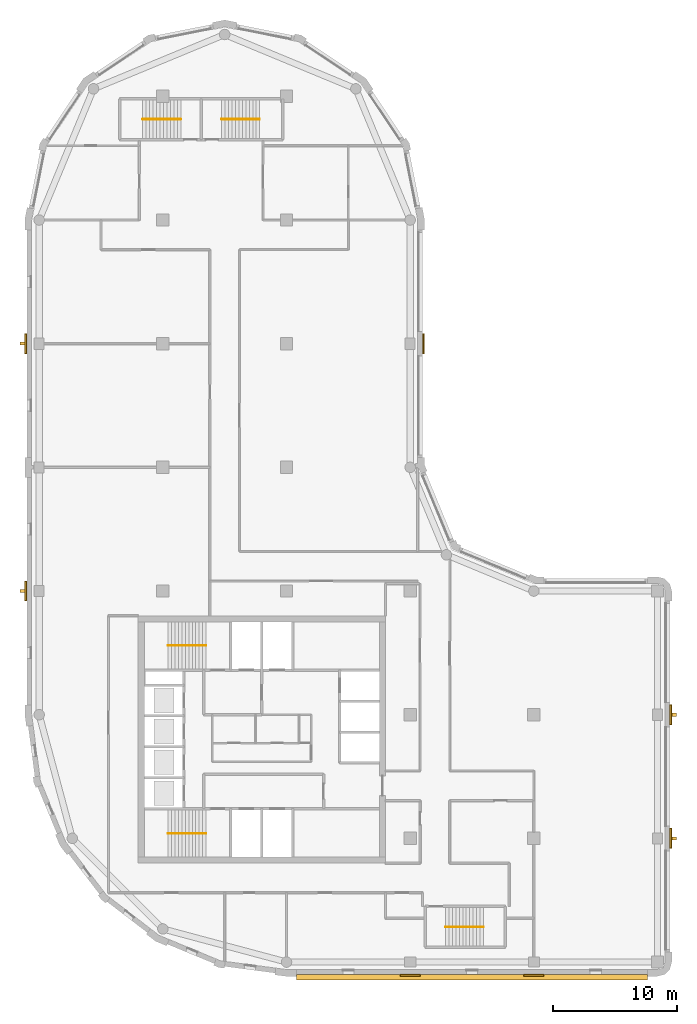
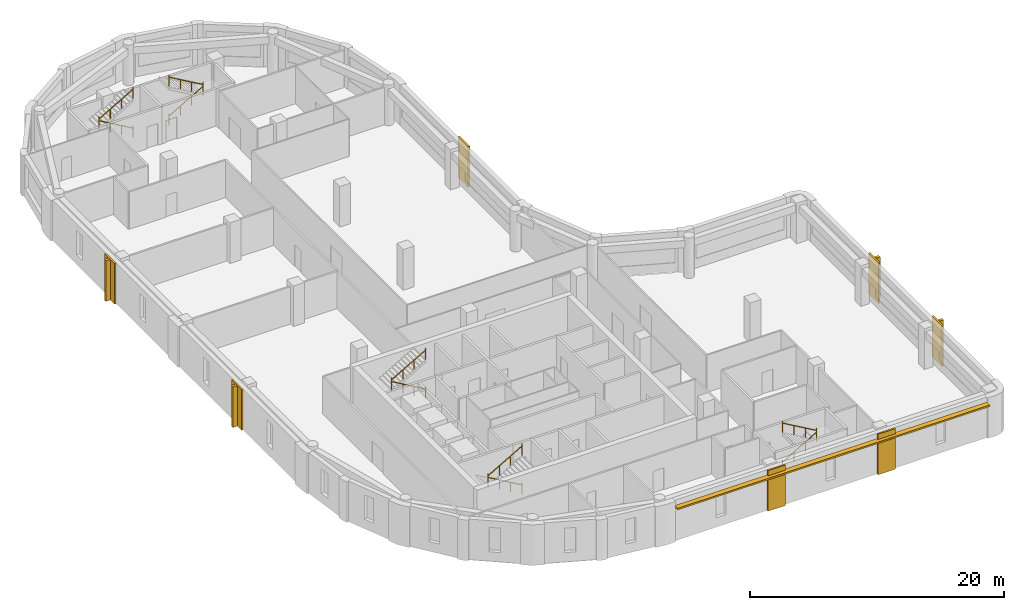
# One storey, part 8 of 9: 10 railings, 7 coverings, 5 shading devices.
"""IFC4 building model written with IfcOpenShell, lengths in metres."""

import ifcopenshell
import ifcopenshell.guid

model = None  # the IFC model being written
_history = None  # IfcOwnerHistory: only IFC2X3 demands one
_inside = {}  # id of a spatial element -> (the spatial element, [elements in it])
_under = {}  # id of a project, library or spatial element -> (it, [spatial elements below it])
_declared = {}  # id of a project -> (the project, [libraries it declares])
_typed = {}  # id of a type object -> (the type object, [elements of that type])
_made_of = {}  # id of a material, layer set ... -> (it, [elements and type objects made of it])


def new_model(schema):
    """Start an empty IFC model of exactly this schema.

    Asked for "IFC4X3", IfcOpenShell would pick the latest addendum, in which some entities
    have other attributes; the version numbers below select the first issue.
    IFC2X3 requires an IfcOwnerHistory on every rooted entity: one is made here for all.
    """
    global model, _history
    if schema == "IFC4X3":
        model = ifcopenshell.file(schema_version=(4, 3, 0, 0))
    else:
        model = ifcopenshell.file(schema=schema)
    _inside.clear()
    _under.clear()
    _declared.clear()
    _typed.clear()
    _made_of.clear()
    _history = None
    if model.schema == "IFC2X3":
        org = make("IfcOrganization", Name="unknown")
        user = make(
            "IfcPersonAndOrganization",
            ThePerson=make("IfcPerson", FamilyName="unknown"),
            TheOrganization=org,
        )
        app = make(
            "IfcApplication",
            ApplicationDeveloper=org,
            Version="unknown",
            ApplicationFullName="unknown",
            ApplicationIdentifier="unknown",
        )
        _history = make(
            "IfcOwnerHistory",
            OwningUser=user,
            OwningApplication=app,
            ChangeAction="ADDED",
            CreationDate=0,
        )
    return model


def make(cls, **values):
    """One entity of the class cls with the attributes given. An attribute that is None is left unset."""
    return model.create_entity(
        cls, **{name: value for name, value in values.items() if value is not None}
    )


def rooted(cls, **values):
    """An entity with a GlobalId (a new one), such as an element, a storey or a relation."""
    return make(cls, GlobalId=ifcopenshell.guid.new(), OwnerHistory=_history, **values)


def si_unit(unit_type, name, prefix=None):
    """IfcSIUnit, for example si_unit("LENGTHUNIT", "METRE", prefix="MILLI")."""
    return make("IfcSIUnit", UnitType=unit_type, Prefix=prefix, Name=name)


def assignment(units):
    """IfcUnitAssignment: the units of a project."""
    return None if units is None else make("IfcUnitAssignment", Units=units)


def point(xyz):
    """IfcCartesianPoint."""
    return None if xyz is None else make("IfcCartesianPoint", Coordinates=xyz)


def direction(xyz):
    """IfcDirection."""
    return None if xyz is None else make("IfcDirection", DirectionRatios=xyz)


def frame(location, z_axis=None, x_axis=None):
    """IfcAxis2Placement3D, a coordinate frame: its origin and axes. An axis left out is left unset."""
    return make(
        "IfcAxis2Placement3D",
        Location=point(location),
        Axis=direction(z_axis),
        RefDirection=direction(x_axis),
    )


def frame_2d(location, x_axis=None):
    """IfcAxis2Placement2D, a coordinate frame in the plane: its origin and x axis."""
    return make(
        "IfcAxis2Placement2D", Location=point(location), RefDirection=direction(x_axis)
    )


def origin():
    """The frame at (0, 0, 0) with its axes left unset."""
    return frame((0.0, 0.0, 0.0))


def origin_2d():
    """The frame at (0, 0) in the plane with its x axis left unset."""
    return frame_2d((0.0, 0.0))


def place(relative_to, where):
    """IfcLocalPlacement: puts the frame where relative to a parent placement (None: the world)."""
    return make(
        "IfcLocalPlacement", PlacementRelTo=relative_to, RelativePlacement=where
    )


def context(
    kind, dimensions, precision=None, world=None, true_north=None, identifier=None
):
    """IfcGeometricRepresentationContext, for example the 3D "Model" context."""
    return make(
        "IfcGeometricRepresentationContext",
        ContextIdentifier=identifier,
        ContextType=kind,
        CoordinateSpaceDimension=dimensions,
        Precision=precision,
        WorldCoordinateSystem=world,
        TrueNorth=true_north,
    )


def subcontext(parent, identifier, kind, view, scale=None):
    """IfcGeometricRepresentationSubContext, for example "Body" below "Model"."""
    return make(
        "IfcGeometricRepresentationSubContext",
        ContextIdentifier=identifier,
        ContextType=kind,
        ParentContext=parent,
        TargetScale=scale,
        TargetView=view,
    )


def project(units=None, contexts=None):
    """IfcProject with its units and contexts."""
    return rooted(
        "IfcProject",
        Name="project",
        RepresentationContexts=contexts,
        UnitsInContext=assignment(units),
    )


def spatial(cls, under=None, at=None, **own):
    """A site, building, storey or space (cls), placed at a placement, below another one or the project."""
    s = rooted(cls, ObjectPlacement=at, **own)
    if under is not None:
        _under.setdefault(under.id(), (under, []))[1].append(s)
    return s


def polyline(points):
    """IfcPolyline through the points."""
    return make("IfcPolyline", Points=[point(p) for p in points])


def profile(cls, at=None, kind="AREA", **sizes):
    """A parametric profile (cls). Its sizes go by their IFC names, for example OverallWidth=200.0."""
    return make(cls, ProfileType=kind, Position=at, **sizes)


def rectangle(**sizes):
    """IfcRectangleProfileDef."""
    return profile("IfcRectangleProfileDef", **sizes)


def circle(**sizes):
    """IfcCircleProfileDef."""
    return profile("IfcCircleProfileDef", **sizes)


def outline(outer, holes=None, kind="AREA"):
    """IfcArbitraryClosedProfileDef: a profile drawn as a closed curve; with holes, ...WithVoids."""
    if holes is None:
        return make("IfcArbitraryClosedProfileDef", ProfileType=kind, OuterCurve=outer)
    return make(
        "IfcArbitraryProfileDefWithVoids",
        ProfileType=kind,
        OuterCurve=outer,
        InnerCurves=holes,
    )


def extrude(swept, where, along, depth):
    """IfcExtrudedAreaSolid: the profile swept, set in the frame where, extruded along a direction by depth."""
    return make(
        "IfcExtrudedAreaSolid",
        SweptArea=swept,
        Position=where,
        ExtrudedDirection=direction(along),
        Depth=depth,
    )


def shape(context_of_items, identifier, shape_type, items):
    """IfcShapeRepresentation: the items that make up one representation, for example the "Body"."""
    return make(
        "IfcShapeRepresentation",
        ContextOfItems=context_of_items,
        RepresentationIdentifier=identifier,
        RepresentationType=shape_type,
        Items=items,
    )


def material(Name=None, Category=None):
    """IfcMaterial."""
    return make("IfcMaterial", Name=Name, Category=Category)


def layer(
    of_material, thickness, ventilated=None, Name=None, Category=None, Priority=None
):
    """IfcMaterialLayer: one layer of a wall or slab, of a material (None: an air gap)."""
    return make(
        "IfcMaterialLayer",
        Material=of_material,
        LayerThickness=thickness,
        IsVentilated=ventilated,
        Name=Name,
        Category=Category,
        Priority=Priority,
    )


def layer_set(layers, Name=None):
    """IfcMaterialLayerSet."""
    return make("IfcMaterialLayerSet", MaterialLayers=layers, LayerSetName=Name)


def made_of(thing, what):
    """Note that an element or type object is made of a material, layer set ...; save() writes the relation."""
    if what is not None:
        _made_of.setdefault(what.id(), (what, []))[1].append(thing)
    return thing


def type_object(cls, material=None, **own):
    """A type object (cls), such as IfcWallType, which elements share."""
    return made_of(rooted(cls, **own), material)


def element(
    cls,
    number,
    at=None,
    inside=None,
    cuts=None,
    type_object=None,
    material=None,
    context=None,
    identifier="Body",
    shape_type=None,
    held_by="IfcProductDefinitionShape",
    body=None,
    shapes=None,
    **own,
):
    """One element of the class cls, such as IfcWall. Its Tag is "e" and its number.

    at: its placement. inside: the storey or other place that contains it. cuts: it is an
    opening in that element (IfcRelVoidsElement). A single representation is given by context,
    identifier, shape_type and body (its items); several are given by shapes. held_by: the class
    of the entity that holds the representations. save() writes the other relations.
    """
    e = rooted(cls, Tag="e%d" % number, ObjectPlacement=at, **own)
    if body is not None:
        shapes = [shape(context, identifier, shape_type, body)]
    if shapes is not None:
        e.Representation = make(held_by, Representations=shapes)
    if inside is not None:
        _inside.setdefault(inside.id(), (inside, []))[1].append(e)
    if cuts is not None:
        rooted(
            "IfcRelVoidsElement", RelatingBuildingElement=cuts, RelatedOpeningElement=e
        )
    if type_object is not None:
        _typed.setdefault(type_object.id(), (type_object, []))[1].append(e)
    return made_of(e, material)


def aggregate(whole, parts):
    """IfcRelAggregates: a whole, such as a stair, and the parts it consists of."""
    return rooted("IfcRelAggregates", RelatingObject=whole, RelatedObjects=parts)


def save(model, path):
    """Write the relations noted so far, then the file.

    IfcRelAggregates (storeys below a building ...), IfcRelContainedInSpatialStructure (elements
    in a storey), IfcRelDefinesByType, IfcRelAssociatesMaterial and IfcRelDeclares: one each for
    every whole, place, type object, material and project.
    """
    for whole, parts in _under.values():
        aggregate(whole, parts)
    for where, things in _inside.values():
        rooted(
            "IfcRelContainedInSpatialStructure",
            RelatedElements=things,
            RelatingStructure=where,
        )
    for kind, things in _typed.values():
        rooted("IfcRelDefinesByType", RelatedObjects=things, RelatingType=kind)
    for what, things in _made_of.values():
        rooted("IfcRelAssociatesMaterial", RelatedObjects=things, RelatingMaterial=what)
    for by, libraries in _declared.values():
        rooted("IfcRelDeclares", RelatingContext=by, RelatedDefinitions=libraries)
    model.write(path)


model = new_model("IFC4")

# Units and contexts
model_context = context("Model", 3, precision=1e-05, world=origin(), true_north=direction((0.0, 1.0)))
body_context = subcontext(model_context, "Body", "Model", "MODEL_VIEW")
ifc_project = project(units=[si_unit("LENGTHUNIT", "METRE"), si_unit("AREAUNIT", "SQUARE_METRE"), si_unit("VOLUMEUNIT", "CUBIC_METRE"), si_unit("PLANEANGLEUNIT", "RADIAN"), si_unit("MASSUNIT", "GRAM", prefix="KILO")], contexts=[model_context])

# Site, building, storey
site_placement = place(None, origin())
site = spatial("IfcSite", under=ifc_project, at=site_placement, CompositionType="ELEMENT")
building_placement = place(site_placement, origin())
building = spatial("IfcBuilding", under=site, at=building_placement, Name="Qaws Garden Tower", CompositionType="ELEMENT")
storey_placement = place(building_placement, frame((0.0, 0.0, 259.199951171875)))
storey = spatial("IfcBuildingStorey", under=building, at=storey_placement, Name="L62", CompositionType="ELEMENT", Elevation=259.199951171875)

# Coverings
ifc_material_1 = material(Name="Clay facing brick masonry", Category="masonry")
ifc_layer_1 = layer(ifc_material_1, 0.14990234375)
ifc_layer_set_1 = layer_set([ifc_layer_1], Name="Clay facing brick masonry")
covering_type = type_object("IfcCoveringType", Name="Brick pilaster facing 150 x 1600", PredefinedType="CLADDING", material=ifc_layer_set_1)
placement = place(storey_placement, origin())
element("IfcCovering", 1, at=placement, inside=storey, type_object=covering_type, Name="E-L62-pier-01", PredefinedType="CLADDING", context=body_context, shape_type="SweptSolid", body=[
    extrude(outline(polyline([(29.199951171875, -1.0), (30.800048828125, -1.0), (30.800048828125, -1.14990234375), (29.199951171875, -1.14990234375), (29.199951171875, -1.0)])), origin(), (0.0, 0.0, 1.0), 3.900146484375),
])
element("IfcCovering", 2, at=placement, inside=storey, type_object=covering_type, Name="E-L62-pier-02", PredefinedType="CLADDING", context=body_context, shape_type="SweptSolid", body=[
    extrude(outline(polyline([(39.199951171875, -1.0), (40.800048828125, -1.0), (40.800048828125, -1.14990234375), (39.199951171875, -1.14990234375), (39.199951171875, -1.0)])), origin(), (0.0, 0.0, 1.0), 3.900146484375),
])
element("IfcCovering", 3, at=placement, inside=storey, type_object=covering_type, Name="E-L62-pier-04", PredefinedType="CLADDING", context=body_context, shape_type="SweptSolid", body=[
    extrude(outline(polyline([(51.0, 9.199951171875), (51.0, 10.800048828125), (51.14990234375, 10.800048828125), (51.14990234375, 9.199951171875), (51.0, 9.199951171875)])), origin(), (0.0, 0.0, 1.0), 3.900146484375),
])
element("IfcCovering", 4, at=placement, inside=storey, type_object=covering_type, Name="E-L62-pier-05", PredefinedType="CLADDING", context=body_context, shape_type="SweptSolid", body=[
    extrude(outline(polyline([(51.0, 19.199951171875), (51.0, 20.800048828125), (51.14990234375, 20.800048828125), (51.14990234375, 19.199951171875), (51.0, 19.199951171875)])), origin(), (0.0, 0.0, 1.0), 3.900146484375),
])
element("IfcCovering", 5, at=placement, inside=storey, type_object=covering_type, Name="E-L62-pier-10", PredefinedType="CLADDING", context=body_context, shape_type="SweptSolid", body=[
    extrude(outline(polyline([(31.0, 49.199951171875), (31.0, 50.800048828125), (31.14990234375, 50.800048828125), (31.14990234375, 49.199951171875), (31.0, 49.199951171875)])), origin(), (0.0, 0.0, 1.0), 3.900146484375),
])
element("IfcCovering", 6, at=placement, inside=storey, type_object=covering_type, Name="E-L62-pier-20", PredefinedType="CLADDING", context=body_context, shape_type="SweptSolid", body=[
    extrude(outline(polyline([(-1.0, 50.800048828125), (-1.0, 49.199951171875), (-1.14990234375, 49.199951171875), (-1.14990234375, 50.800048828125), (-1.0, 50.800048828125)])), origin(), (0.0, 0.0, 1.0), 3.900146484375),
])
element("IfcCovering", 7, at=placement, inside=storey, type_object=covering_type, Name="E-L62-pier-22", PredefinedType="CLADDING", context=body_context, shape_type="SweptSolid", body=[
    extrude(outline(polyline([(-1.0, 30.800048828125), (-1.0, 29.199951171875), (-1.14990234375, 29.199951171875), (-1.14990234375, 30.800048828125), (-1.0, 30.800048828125)])), origin(), (0.0, 0.0, 1.0), 3.900146484375),
])

# Shading devices
ifc_material_2 = material(Name="Clay facing brick masonry", Category="masonry")
ifc_layer_2 = layer(ifc_material_2, 0.14990234375)
ifc_layer_set_2 = layer_set([ifc_layer_2], Name="Clay facing brick masonry")
shading_device_type_1 = type_object("IfcShadingDeviceType", Name="Brick sunshade band 450 x 150", PredefinedType="JALOUSIE", material=ifc_layer_set_2)
shading_device_placement = place(storey_placement, frame((0.0, 0.0, 3.25)))
element("IfcShadingDevice", 8, at=shading_device_placement, inside=storey, type_object=shading_device_type_1, Name="SUNSHADE 00", PredefinedType="JALOUSIE", context=body_context, shape_type="SweptSolid", body=[
    extrude(outline(polyline([(20.800048828125, -1.0), (20.800048828125, -1.449951171875), (49.199951171875, -1.449951171875), (49.199951171875, -1.0), (40.800048828125, -1.0), (40.800048828125, -1.14990234375), (39.199951171875, -1.14990234375), (39.199951171875, -1.0), (30.800048828125, -1.0), (30.800048828125, -1.14990234375), (29.199951171875, -1.14990234375), (29.199951171875, -1.0), (20.800048828125, -1.0)])), origin(), (0.0, 0.0, 1.0), 0.150146484375),
])
ifc_material_3 = material(Name="Clay facing brick masonry", Category="masonry")
ifc_layer_3 = layer(ifc_material_3, 0.25)
ifc_layer_set_3 = layer_set([ifc_layer_3], Name="Clay facing brick masonry")
shading_device_type_2 = type_object("IfcShadingDeviceType", Name="Brick-faced fin 250 x 400", PredefinedType="USERDEFINED", material=ifc_layer_set_3)
for number, where, z_axis, x_axis, name in (
    (9, (51.35009765625, 10.0, 0.0), (0.0, 0.0, 1.0), (0.0, 1.0, 0.0), "FIN 04"),
    (10, (51.35009765625, 20.0, 0.0), (0.0, 0.0, 1.0), (0.0, 1.0, 0.0), "FIN 05"),
    (11, (-1.35009765625, 50.0, 0.0), (0.0, 0.0, 1.0), (0.0, -1.0, 0.0), "FIN 20"),
    (12, (-1.35009765625, 30.0, 0.0), (0.0, 0.0, 1.0), (0.0, -1.0, 0.0), "FIN 22"),
):
    element("IfcShadingDevice", number, at=place(storey_placement, frame(where, z_axis=z_axis, x_axis=x_axis)), inside=storey, type_object=shading_device_type_2, Name=name, ObjectType="FIN", PredefinedType="USERDEFINED", context=body_context, shape_type="SweptSolid", body=[
        extrude(rectangle(XDim=0.25, YDim=0.39990234375, at=origin_2d()), origin(), (0.0, 0.0, 1.0), 3.89990234375),
    ])

# Railings
ifc_material_4 = material(Name="Steel S355", Category="steel")
railing_type = type_object("IfcRailingType", Name="Stair handrail 900", PredefinedType="HANDRAIL", material=ifc_material_4)
railing_1_placement = place(storey_placement, frame((13.5, 10.39990234375, 0.16259765625)))
element("IfcRailing", 13, at=railing_1_placement, inside=storey, type_object=railing_type, Name="Stair 1 handrail", PredefinedType="HANDRAIL", context=body_context, shape_type="SweptSolid", body=[
    extrude(circle(Radius=0.02392578125, at=origin_2d()), frame((0.0, 0.0, 0.8759765625), z_axis=(-0.864920483161, 0.0, 0.501908913857), x_axis=(0.0, -1.0, 0.0)), (0.0, 0.0, 1.0), 3.56103515625),
    extrude(circle(Radius=0.02099609375, at=origin_2d()), origin(), (0.0, 0.0, 1.0), 1.06201171875),
    extrude(circle(Radius=0.02099609375, at=origin_2d()), frame((-1.026611328125, 0.0, 0.595703125)), (0.0, 0.0, 1.0), 0.851806640625),
    extrude(circle(Radius=0.02099609375, at=origin_2d()), frame((-2.053466796875, 0.0, 1.191650390625)), (0.0, 0.0, 1.0), 0.851806640625),
    extrude(circle(Radius=0.02099609375, at=origin_2d()), frame((-3.080078125, 0.0, 1.787353515625)), (0.0, 0.0, 1.0), 1.06201171875),
])
railing_2_placement = place(storey_placement, frame((10.419921875, 10.39990234375, 2.112548828125)))
element("IfcRailing", 14, at=railing_2_placement, inside=storey, type_object=railing_type, Name="Stair 1 handrail", PredefinedType="HANDRAIL", context=body_context, shape_type="SweptSolid", body=[
    extrude(circle(Radius=0.02392578125, at=origin_2d()), frame((0.0, 0.0, 0.8759765625), z_axis=(0.864890721111, 0.0, 0.501960198159), x_axis=(0.0, 1.0, 0.0)), (0.0, 0.0, 1.0), 3.561279296875),
    extrude(circle(Radius=0.02099609375, at=origin_2d()), origin(), (0.0, 0.0, 1.0), 1.06201171875),
    extrude(circle(Radius=0.02099609375, at=origin_2d()), frame((1.026611328125, 0.0, 0.595947265625)), (0.0, 0.0, 1.0), 0.851806640625),
    extrude(circle(Radius=0.02099609375, at=origin_2d()), frame((2.053466796875, 0.0, 1.191650390625)), (0.0, 0.0, 1.0), 0.851806640625),
    extrude(circle(Radius=0.02099609375, at=origin_2d()), frame((3.080078125, 0.0, 1.78759765625)), (0.0, 0.0, 1.0), 1.06201171875),
])
railing_3_placement = place(storey_placement, frame((13.5, 25.60009765625, 0.16259765625)))
element("IfcRailing", 15, at=railing_3_placement, inside=storey, type_object=railing_type, Name="Stair 4 handrail", PredefinedType="HANDRAIL", context=body_context, shape_type="SweptSolid", body=[
    extrude(circle(Radius=0.02392578125, at=origin_2d()), frame((0.0, 0.0, 0.8759765625), z_axis=(-0.864920483161, 0.0, 0.501908913857), x_axis=(0.0, -1.0, 0.0)), (0.0, 0.0, 1.0), 3.56103515625),
    extrude(circle(Radius=0.02099609375, at=origin_2d()), origin(), (0.0, 0.0, 1.0), 1.06201171875),
    extrude(circle(Radius=0.02099609375, at=origin_2d()), frame((-1.026611328125, 0.0, 0.595703125)), (0.0, 0.0, 1.0), 0.851806640625),
    extrude(circle(Radius=0.02099609375, at=origin_2d()), frame((-2.053466796875, 0.0, 1.191650390625)), (0.0, 0.0, 1.0), 0.851806640625),
    extrude(circle(Radius=0.02099609375, at=origin_2d()), frame((-3.080078125, 0.0, 1.787353515625)), (0.0, 0.0, 1.0), 1.06201171875),
])
railing_4_placement = place(storey_placement, frame((10.419921875, 25.60009765625, 2.112548828125)))
element("IfcRailing", 16, at=railing_4_placement, inside=storey, type_object=railing_type, Name="Stair 4 handrail", PredefinedType="HANDRAIL", context=body_context, shape_type="SweptSolid", body=[
    extrude(circle(Radius=0.02392578125, at=origin_2d()), frame((0.0, 0.0, 0.8759765625), z_axis=(0.864890721111, 0.0, 0.501960198159), x_axis=(0.0, 1.0, 0.0)), (0.0, 0.0, 1.0), 3.561279296875),
    extrude(circle(Radius=0.02099609375, at=origin_2d()), origin(), (0.0, 0.0, 1.0), 1.06201171875),
    extrude(circle(Radius=0.02099609375, at=origin_2d()), frame((1.026611328125, 0.0, 0.595947265625)), (0.0, 0.0, 1.0), 0.851806640625),
    extrude(circle(Radius=0.02099609375, at=origin_2d()), frame((2.053466796875, 0.0, 1.191650390625)), (0.0, 0.0, 1.0), 0.851806640625),
    extrude(circle(Radius=0.02099609375, at=origin_2d()), frame((3.080078125, 0.0, 1.78759765625)), (0.0, 0.0, 1.0), 1.06201171875),
])
railing_5_placement = place(storey_placement, frame((32.85009765625, 2.85009765625, 0.16259765625)))
element("IfcRailing", 17, at=railing_5_placement, inside=storey, type_object=railing_type, Name="Stair 5 handrail", PredefinedType="HANDRAIL", context=body_context, shape_type="SweptSolid", body=[
    extrude(circle(Radius=0.02392578125, at=origin_2d()), frame((0.0, 0.0, 0.8759765625), z_axis=(0.864903211148, 0.0, 0.501938676878), x_axis=(0.0, 1.0, 0.0)), (0.0, 0.0, 1.0), 3.560791015625),
    extrude(circle(Radius=0.02099609375, at=origin_2d()), origin(), (0.0, 0.0, 1.0), 1.06201171875),
    extrude(circle(Radius=0.02099609375, at=origin_2d()), frame((1.026611328125, 0.0, 0.595703125)), (0.0, 0.0, 1.0), 0.851806640625),
    extrude(circle(Radius=0.02099609375, at=origin_2d()), frame((2.05322265625, 0.0, 1.191650390625)), (0.0, 0.0, 1.0), 0.851806640625),
    extrude(circle(Radius=0.02099609375, at=origin_2d()), frame((3.079833984375, 0.0, 1.787353515625)), (0.0, 0.0, 1.0), 1.06201171875),
])
railing_6_placement = place(storey_placement, frame((35.929931640625, 2.85009765625, 2.112548828125)))
element("IfcRailing", 18, at=railing_6_placement, inside=storey, type_object=railing_type, Name="Stair 5 handrail", PredefinedType="HANDRAIL", context=body_context, shape_type="SweptSolid", body=[
    extrude(circle(Radius=0.02392578125, at=origin_2d()), frame((0.0, 0.0, 0.8759765625), z_axis=(-0.864873446163, 0.0, 0.501989962173), x_axis=(0.0, -1.0, 0.0)), (0.0, 0.0, 1.0), 3.56103515625),
    extrude(circle(Radius=0.02099609375, at=origin_2d()), origin(), (0.0, 0.0, 1.0), 1.06201171875),
    extrude(circle(Radius=0.02099609375, at=origin_2d()), frame((-1.026611328125, 0.0, 0.595947265625)), (0.0, 0.0, 1.0), 0.851806640625),
    extrude(circle(Radius=0.02099609375, at=origin_2d()), frame((-2.05322265625, 0.0, 1.191650390625)), (0.0, 0.0, 1.0), 0.851806640625),
    extrude(circle(Radius=0.02099609375, at=origin_2d()), frame((-3.079833984375, 0.0, 1.78759765625)), (0.0, 0.0, 1.0), 1.06201171875),
])
railing_7_placement = place(storey_placement, frame((11.449951171875, 68.14990234375, 0.16259765625)))
element("IfcRailing", 19, at=railing_7_placement, inside=storey, type_object=railing_type, Name="Stair 6 handrail", PredefinedType="HANDRAIL", context=body_context, shape_type="SweptSolid", body=[
    extrude(circle(Radius=0.02392578125, at=origin_2d()), frame((0.0, 0.0, 0.8759765625), z_axis=(-0.864903211148, 0.0, 0.501938676878), x_axis=(0.0, -1.0, 0.0)), (0.0, 0.0, 1.0), 3.560791015625),
    extrude(circle(Radius=0.02099609375, at=origin_2d()), origin(), (0.0, 0.0, 1.0), 1.06201171875),
    extrude(circle(Radius=0.02099609375, at=origin_2d()), frame((-1.026611328125, 0.0, 0.595703125)), (0.0, 0.0, 1.0), 0.851806640625),
    extrude(circle(Radius=0.02099609375, at=origin_2d()), frame((-2.05322265625, 0.0, 1.191650390625)), (0.0, 0.0, 1.0), 0.851806640625),
    extrude(circle(Radius=0.02099609375, at=origin_2d()), frame((-3.079833984375, 0.0, 1.787353515625)), (0.0, 0.0, 1.0), 1.06201171875),
])
railing_8_placement = place(storey_placement, frame((8.3701171875, 68.14990234375, 2.112548828125)))
element("IfcRailing", 20, at=railing_8_placement, inside=storey, type_object=railing_type, Name="Stair 6 handrail", PredefinedType="HANDRAIL", context=body_context, shape_type="SweptSolid", body=[
    extrude(circle(Radius=0.02392578125, at=origin_2d()), frame((0.0, 0.0, 0.8759765625), z_axis=(0.864873446163, 0.0, 0.501989962173), x_axis=(0.0, 1.0, 0.0)), (0.0, 0.0, 1.0), 3.56103515625),
    extrude(circle(Radius=0.02099609375, at=origin_2d()), origin(), (0.0, 0.0, 1.0), 1.06201171875),
    extrude(circle(Radius=0.02099609375, at=origin_2d()), frame((1.026611328125, 0.0, 0.595947265625)), (0.0, 0.0, 1.0), 0.851806640625),
    extrude(circle(Radius=0.02099609375, at=origin_2d()), frame((2.05322265625, 0.0, 1.191650390625)), (0.0, 0.0, 1.0), 0.851806640625),
    extrude(circle(Radius=0.02099609375, at=origin_2d()), frame((3.079833984375, 0.0, 1.78759765625)), (0.0, 0.0, 1.0), 1.06201171875),
])
railing_9_placement = place(storey_placement, frame((14.75, 68.14990234375, 0.16259765625)))
element("IfcRailing", 21, at=railing_9_placement, inside=storey, type_object=railing_type, Name="Stair 7 handrail", PredefinedType="HANDRAIL", context=body_context, shape_type="SweptSolid", body=[
    extrude(circle(Radius=0.02392578125, at=origin_2d()), frame((0.0, 0.0, 0.8759765625), z_axis=(0.864920483161, 0.0, 0.501908913857), x_axis=(0.0, 1.0, 0.0)), (0.0, 0.0, 1.0), 3.56103515625),
    extrude(circle(Radius=0.02099609375, at=origin_2d()), origin(), (0.0, 0.0, 1.0), 1.06201171875),
    extrude(circle(Radius=0.02099609375, at=origin_2d()), frame((1.026611328125, 0.0, 0.595703125)), (0.0, 0.0, 1.0), 0.851806640625),
    extrude(circle(Radius=0.02099609375, at=origin_2d()), frame((2.053466796875, 0.0, 1.191650390625)), (0.0, 0.0, 1.0), 0.851806640625),
    extrude(circle(Radius=0.02099609375, at=origin_2d()), frame((3.080078125, 0.0, 1.787353515625)), (0.0, 0.0, 1.0), 1.06201171875),
])
railing_10_placement = place(storey_placement, frame((17.830078125, 68.14990234375, 2.112548828125)))
element("IfcRailing", 22, at=railing_10_placement, inside=storey, type_object=railing_type, Name="Stair 7 handrail", PredefinedType="HANDRAIL", context=body_context, shape_type="SweptSolid", body=[
    extrude(circle(Radius=0.02392578125, at=origin_2d()), frame((0.0, 0.0, 0.8759765625), z_axis=(-0.864890721111, 0.0, 0.501960198159), x_axis=(0.0, -1.0, 0.0)), (0.0, 0.0, 1.0), 3.561279296875),
    extrude(circle(Radius=0.02099609375, at=origin_2d()), origin(), (0.0, 0.0, 1.0), 1.06201171875),
    extrude(circle(Radius=0.02099609375, at=origin_2d()), frame((-1.026611328125, 0.0, 0.595947265625)), (0.0, 0.0, 1.0), 0.851806640625),
    extrude(circle(Radius=0.02099609375, at=origin_2d()), frame((-2.053466796875, 0.0, 1.191650390625)), (0.0, 0.0, 1.0), 0.851806640625),
    extrude(circle(Radius=0.02099609375, at=origin_2d()), frame((-3.080078125, 0.0, 1.78759765625)), (0.0, 0.0, 1.0), 1.06201171875),
])

save(model, "model.ifc")
